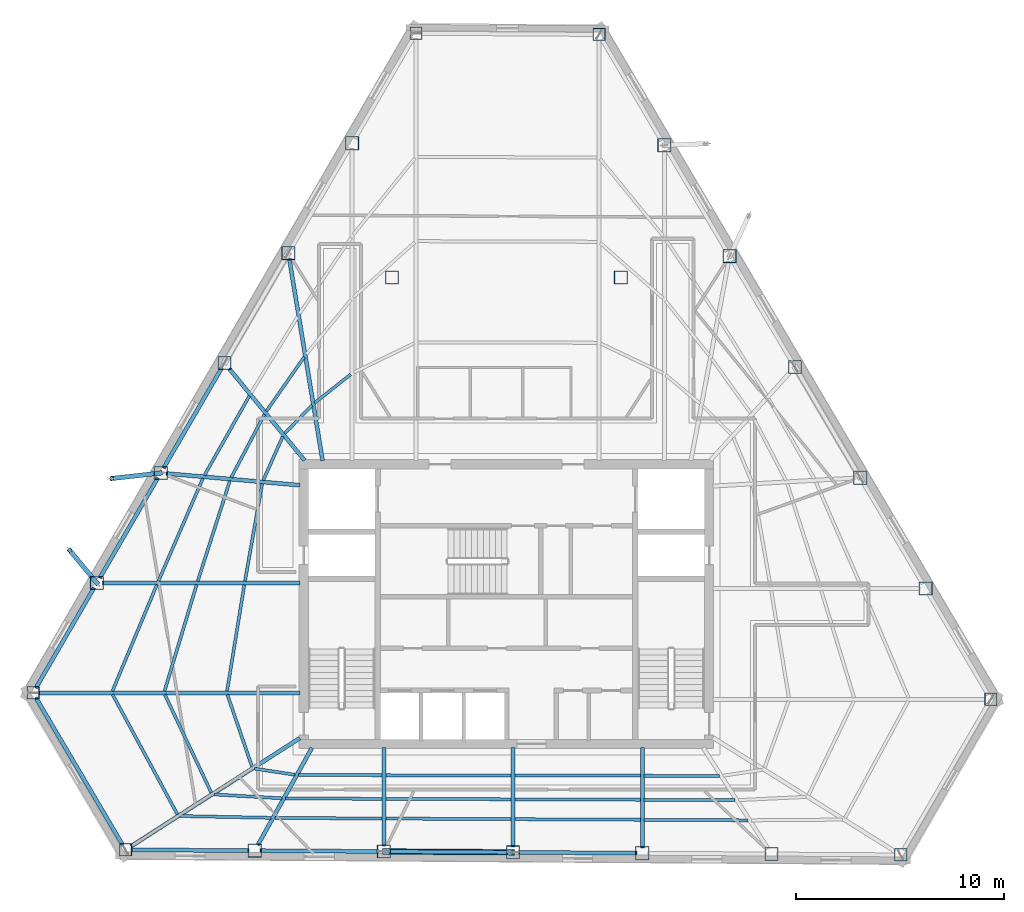
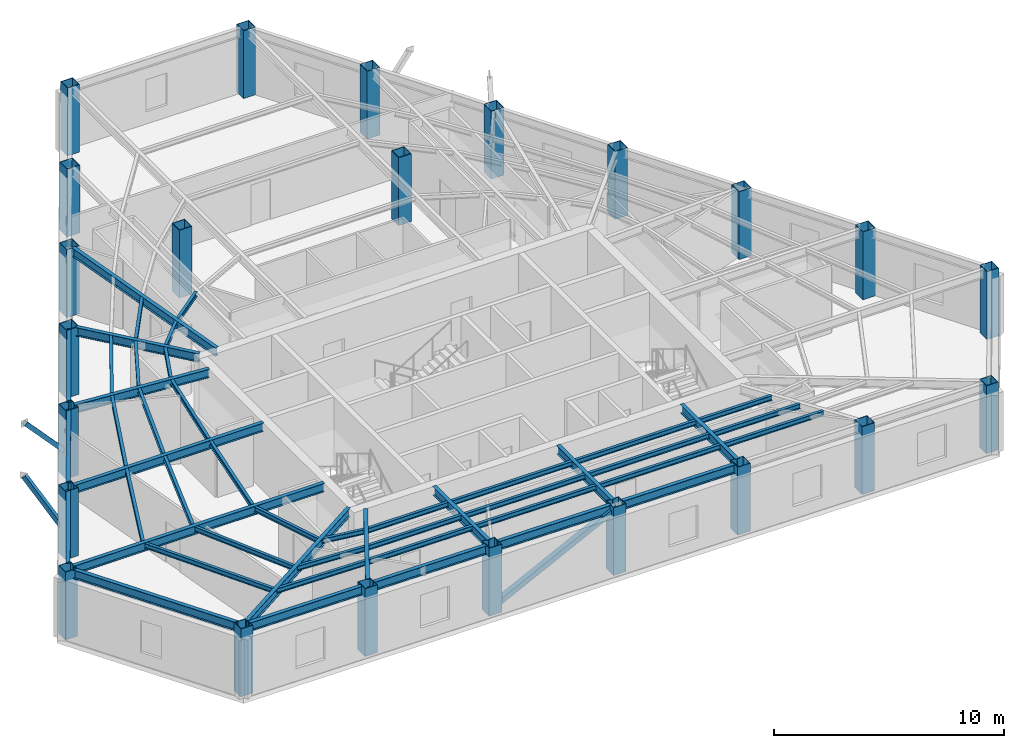
# One storey, part 1 of 11: 48 beams, 23 columns, 3 members.
"""IFC4 building model written with IfcOpenShell, lengths in metres."""

from ifc_helpers import new_model, si_unit, direction, frame, origin, origin_2d, place, context, subcontext, project, spatial, hollow_rectangle, i_section, extrude, material, material_profile, profile_set, type_object, element, save


model = new_model("IFC4")

# Units and contexts
model_context = context("Model", 3, precision=1e-05, world=origin(), true_north=direction((0.0, 1.0)))
body_context = subcontext(model_context, "Body", "Model", "MODEL_VIEW")
ifc_project = project(units=[si_unit("LENGTHUNIT", "METRE"), si_unit("AREAUNIT", "SQUARE_METRE"), si_unit("VOLUMEUNIT", "CUBIC_METRE"), si_unit("PLANEANGLEUNIT", "RADIAN"), si_unit("MASSUNIT", "GRAM", prefix="KILO")], contexts=[model_context])

# Site, building, storey
site_placement = place(None, origin())
site = spatial("IfcSite", under=ifc_project, at=site_placement, CompositionType="ELEMENT")
building_placement = place(site_placement, origin())
building = spatial("IfcBuilding", under=site, at=building_placement, Name="Kavelnor Concourse Tower", CompositionType="ELEMENT")
storey_placement = place(building_placement, frame((0.0, 0.0, 195.800048828125)))
storey = spatial("IfcBuildingStorey", under=building, at=storey_placement, Name="L49", CompositionType="ELEMENT", Elevation=195.800048828125)

# Columns
ifc_material = material(Name="Steel Grade 350", Category="steel")
ifc_material_profile_1 = material_profile(ifc_material, hollow_rectangle(XDim=0.60009765625, YDim=0.60009765625, WallThickness=0.028076171875, at=origin_2d()), Name="SHS 600x600x28")
ifc_profile_set_1 = profile_set([ifc_material_profile_1], Name="Steel Grade 350")
column_type_1 = type_object("IfcColumnType", Name="COL-FOLD-Z3", PredefinedType="COLUMN", material=ifc_profile_set_1)
for number, where, z_axis, x_axis, name in (
    (1, (33.65478515625, 43.537841796875, 0.0), (0.0, 0.0, 1.0), (1.0, 0.0, 0.0), "L49 Perimeter Corner-Fold Column F0-B0"),
    (2, (15.248046875, 11.835205078125, 0.0), (0.0, 0.0, 1.0), (1.0, 0.0, 0.0), "L49 Perimeter Corner-Fold Column F0-B6"),
    (3, (19.694091796875, 4.292236328125, 0.0), (0.0, 0.0, 1.0), (1.0, 0.0, 0.0), "L49 Perimeter Corner-Fold Column F1-B0"),
    (4, (56.947998046875, 4.0478515625, 0.0), (0.0, 0.0, 1.0), (1.0, 0.0, 0.0), "L49 Perimeter Corner-Fold Column F1-B6"),
    (5, (61.287841796875, 11.5224609375, 0.0), (0.0, 0.0, 1.0), (1.0, 0.0, 0.0), "L49 Perimeter Corner-Fold Column F2-B0"),
    (6, (42.451416015625, 43.480224609375, 0.0), (0.0, 0.0, 1.0), (1.0, 0.0, 0.0), "L49 Perimeter Corner-Fold Column F2-B6"),
):
    element("IfcColumn", number, at=place(storey_placement, frame(where, z_axis=z_axis, x_axis=x_axis)), inside=storey, type_object=column_type_1, Name=name, PredefinedType="COLUMN", context=body_context, shape_type="SweptSolid", body=[
        extrude(hollow_rectangle(XDim=0.60009765625, YDim=0.60009765625, WallThickness=0.028076171875, at=origin_2d()), origin(), (0.0, 0.0, 1.0), 3.599853515625),
    ])
ifc_material_profile_2 = material_profile(ifc_material, hollow_rectangle(XDim=0.639892578125, YDim=0.639892578125, WallThickness=0.028076171875, at=origin_2d()), Name="SHS 640x640x28")
ifc_profile_set_2 = profile_set([ifc_material_profile_2], Name="Steel Grade 350")
column_type_2 = type_object("IfcColumnType", Name="COL-TUBE-Z3", PredefinedType="COLUMN", material=ifc_profile_set_2)
for number, where, z_axis, x_axis, name in (
    (7, (30.5869140625, 38.254150390625, 0.0), (0.0, 0.0, 1.0), (1.0, 0.0, 0.0), "L49 Perimeter Framed-Tube Column F0-B1"),
    (8, (27.519287109375, 32.970458984375, 0.0), (0.0, 0.0, 1.0), (1.0, 0.0, 0.0), "L49 Perimeter Framed-Tube Column F0-B2"),
    (9, (24.451416015625, 27.6865234375, 0.0), (0.0, 0.0, 1.0), (1.0, 0.0, 0.0), "L49 Perimeter Framed-Tube Column F0-B3"),
    (10, (21.383544921875, 22.40283203125, 0.0), (0.0, 0.0, 1.0), (1.0, 0.0, 0.0), "L49 Perimeter Framed-Tube Column F0-B4"),
    (11, (18.31591796875, 17.119140625, 0.0), (0.0, 0.0, 1.0), (1.0, 0.0, 0.0), "L49 Perimeter Framed-Tube Column F0-B5"),
    (12, (25.903076171875, 4.25146484375, 0.0), (0.0, 0.0, 1.0), (1.0, 0.0, 0.0), "L49 Perimeter Framed-Tube Column F1-B1"),
    (13, (32.112060546875, 4.210693359375, 0.0), (0.0, 0.0, 1.0), (1.0, 0.0, 0.0), "L49 Perimeter Framed-Tube Column F1-B2"),
    (14, (38.321044921875, 4.169921875, 0.0), (0.0, 0.0, 1.0), (1.0, 0.0, 0.0), "L49 Perimeter Framed-Tube Column F1-B3"),
    (15, (44.530029296875, 4.12939453125, 0.0), (0.0, 0.0, 1.0), (1.0, 0.0, 0.0), "L49 Perimeter Framed-Tube Column F1-B4"),
    (16, (50.739013671875, 4.08837890625, 0.0), (0.0, 0.0, 1.0), (1.0, 0.0, 0.0), "L49 Perimeter Framed-Tube Column F1-B5"),
    (17, (58.1484375, 16.8486328125, 0.0), (0.0, 0.0, 1.0), (1.0, 0.0, 0.0), "L49 Perimeter Framed-Tube Column F2-B1"),
    (18, (55.009033203125, 22.175048828125, 0.0), (0.0, 0.0, 1.0), (1.0, 0.0, 0.0), "L49 Perimeter Framed-Tube Column F2-B2"),
    (19, (51.86962890625, 27.501220703125, 0.0), (0.0, 0.0, 1.0), (1.0, 0.0, 0.0), "L49 Perimeter Framed-Tube Column F2-B3"),
    (20, (48.730224609375, 32.82763671875, 0.0), (0.0, 0.0, 1.0), (1.0, 0.0, 0.0), "L49 Perimeter Framed-Tube Column F2-B4"),
    (21, (45.5908203125, 38.15380859375, 0.0), (0.0, 0.0, 1.0), (1.0, 0.0, 0.0), "L49 Perimeter Framed-Tube Column F2-B5"),
    (22, (32.5, 31.800048828125, 0.0), (0.0, 0.0, 1.0), (1.0, 0.0, 0.0), "L49 North Interior Gravity Column BC-NW"),
    (23, (43.5, 31.800048828125, 0.0), (0.0, 0.0, 1.0), (1.0, 0.0, 0.0), "L49 North Interior Gravity Column BC-NE"),
):
    element("IfcColumn", number, at=place(storey_placement, frame(where, z_axis=z_axis, x_axis=x_axis)), inside=storey, type_object=column_type_2, Name=name, PredefinedType="COLUMN", context=body_context, shape_type="SweptSolid", body=[
        extrude(hollow_rectangle(XDim=0.639892578125, YDim=0.639892578125, WallThickness=0.028076171875, at=origin_2d()), origin(), (0.0, 0.0, 1.0), 3.599853515625),
    ])

# Beams
ifc_material_profile_3 = material_profile(ifc_material, i_section(OverallWidth=0.14599609375, OverallDepth=0.256103515625, WebThickness=0.00634765625, FlangeThickness=0.010986328125, at=origin_2d()), Name="250UB37")
ifc_profile_set_3 = profile_set([ifc_material_profile_3], Name="Steel Grade 350")
beam_type_1 = type_object("IfcBeamType", Name="BM-JOIST-250", PredefinedType="JOIST", material=ifc_profile_set_3)
beam_1_placement = place(storey_placement, frame((24.588623046875, 11.751220703125, 3.471923828125), z_axis=(0.323887393988, -0.94609563788, 0.0), x_axis=(0.94609563788, 0.323887393988, 0.0)))
element("IfcBeam", 24, at=beam_1_placement, inside=storey, type_object=beam_type_1, Name="L49 Secondary Composite Joist 01-1", PredefinedType="JOIST", context=body_context, shape_type="SweptSolid", body=[
    extrude(i_section(OverallWidth=0.14599609375, OverallDepth=0.256103515625, WebThickness=0.00634765625, FlangeThickness=0.010986328125, at=origin_2d()), origin(), (0.0, 0.0, 1.0), 3.657470703125),
])
beam_2_placement = place(storey_placement, frame((21.580810546875, 11.7548828125, 3.471923828125), z_axis=(0.428422144862, -0.90357869928, 0.0), x_axis=(0.90357869928, 0.428422144862, 0.0)))
element("IfcBeam", 25, at=beam_2_placement, inside=storey, type_object=beam_type_1, Name="L49 Secondary Composite Joist 01-2", PredefinedType="JOIST", context=body_context, shape_type="SweptSolid", body=[
    extrude(i_section(OverallWidth=0.14599609375, OverallDepth=0.256103515625, WebThickness=0.00634765625, FlangeThickness=0.010986328125, at=origin_2d()), origin(), (0.0, 0.0, 1.0), 5.21875),
])
beam_3_placement = place(storey_placement, frame((19.070556640625, 11.757080078125, 3.471923828125), z_axis=(0.476196693464, -0.879338790873, 0.0), x_axis=(0.879338790873, 0.476196693464, 0.0)))
element("IfcBeam", 26, at=beam_3_placement, inside=storey, type_object=beam_type_1, Name="L49 Secondary Composite Joist 01-3", PredefinedType="JOIST", context=body_context, shape_type="SweptSolid", body=[
    extrude(i_section(OverallWidth=0.14599609375, OverallDepth=0.256103515625, WebThickness=0.00634765625, FlangeThickness=0.010986328125, at=origin_2d()), origin(), (0.0, 0.0, 1.0), 6.550048828125),
])
beam_4_placement = place(storey_placement, frame((25.889892578125, 8.193603515625, 3.471923828125), z_axis=(0.988703259194, -0.149886174341, 0.0), x_axis=(0.149886174341, 0.988703259194, 0.0)))
element("IfcBeam", 27, at=beam_4_placement, inside=storey, type_object=beam_type_1, Name="L49 Secondary Composite Joist 02-1", PredefinedType="JOIST", context=body_context, shape_type="SweptSolid", body=[
    extrude(i_section(OverallWidth=0.14599609375, OverallDepth=0.256103515625, WebThickness=0.00634765625, FlangeThickness=0.010986328125, at=origin_2d()), origin(), (0.0, 0.0, 1.0), 1.96923828125),
])
beam_5_placement = place(storey_placement, frame((23.943603515625, 6.953857421875, 3.471923828125), z_axis=(0.998374731594, -0.056990308946, 0.0), x_axis=(0.056990308946, 0.998374731594, 0.0)))
element("IfcBeam", 28, at=beam_5_placement, inside=storey, type_object=beam_type_1, Name="L49 Secondary Composite Joist 02-2", PredefinedType="JOIST", context=body_context, shape_type="SweptSolid", body=[
    extrude(i_section(OverallWidth=0.14599609375, OverallDepth=0.256103515625, WebThickness=0.00634765625, FlangeThickness=0.010986328125, at=origin_2d()), origin(), (0.0, 0.0, 1.0), 3.27294921875),
])
beam_6_placement = place(storey_placement, frame((22.321044921875, 5.9169921875, 3.471923828125), z_axis=(0.999794368897, -0.020278558189, 0.0), x_axis=(0.020278558189, 0.999794368897, 0.0)))
element("IfcBeam", 29, at=beam_6_placement, inside=storey, type_object=beam_type_1, Name="L49 Secondary Composite Joist 02-3", PredefinedType="JOIST", context=body_context, shape_type="SweptSolid", body=[
    extrude(i_section(OverallWidth=0.14599609375, OverallDepth=0.256103515625, WebThickness=0.00634765625, FlangeThickness=0.010986328125, at=origin_2d()), origin(), (0.0, 0.0, 1.0), 4.370361328125),
])
beam_7_placement = place(storey_placement, frame((28.013916015625, 7.884765625, 3.471923828125), z_axis=(0.999997596887, -0.002192309451, 0.0), x_axis=(0.002192309451, 0.999997596887, 0.0)))
element("IfcBeam", 30, at=beam_7_placement, inside=storey, type_object=beam_type_1, Name="L49 Secondary Composite Joist 03-1", PredefinedType="JOIST", context=body_context, shape_type="SweptSolid", body=[
    extrude(i_section(OverallWidth=0.14599609375, OverallDepth=0.256103515625, WebThickness=0.00634765625, FlangeThickness=0.010986328125, at=origin_2d()), origin(), (0.0, 0.0, 1.0), 4.009033203125),
])
beam_8_placement = place(storey_placement, frame((27.38916015625, 6.76171875, 3.471923828125), z_axis=(0.999990206684, -0.004425667933, 0.0), x_axis=(0.004425667933, 0.999990206684, 0.0)))
element("IfcBeam", 31, at=beam_8_placement, inside=storey, type_object=beam_type_1, Name="L49 Secondary Composite Joist 03-2", PredefinedType="JOIST", context=body_context, shape_type="SweptSolid", body=[
    extrude(i_section(OverallWidth=0.14599609375, OverallDepth=0.256103515625, WebThickness=0.00634765625, FlangeThickness=0.010986328125, at=origin_2d()), origin(), (0.0, 0.0, 1.0), 4.6337890625),
])
beam_9_placement = place(storey_placement, frame((26.868408203125, 5.825927734375, 3.471923828125), z_axis=(0.999982474165, -0.005920419138, 0.0), x_axis=(0.005920419138, 0.999982474165, 0.0)))
element("IfcBeam", 32, at=beam_9_placement, inside=storey, type_object=beam_type_1, Name="L49 Secondary Composite Joist 03-3", PredefinedType="JOIST", context=body_context, shape_type="SweptSolid", body=[
    extrude(i_section(OverallWidth=0.14599609375, OverallDepth=0.256103515625, WebThickness=0.00634765625, FlangeThickness=0.010986328125, at=origin_2d()), origin(), (0.0, 0.0, 1.0), 5.154541015625),
])
for number, where, z_axis, x_axis, name in (
    (33, (32.200927734375, 7.875732421875, 3.471923828125), (0.999998266255, -0.001862118781, 0.0), (0.001862118781, 0.999998266255, 0.0), "L49 Secondary Composite Joist 04-1"),
    (34, (32.200927734375, 6.740478515625, 3.471923828125), (0.999994218701, -0.003400377054, 0.0), (0.003400377054, 0.999994218701, 0.0), "L49 Secondary Composite Joist 04-2"),
    (35, (32.200927734375, 5.794677734375, 3.471923828125), (0.999988784077, -0.004736213729, 0.0), (0.004736213729, 0.999988784077, 0.0), "L49 Secondary Composite Joist 04-3"),
    (36, (38.409912109375, 7.8642578125, 3.471923828125), (0.999998340816, -0.001821638074, 0.0), (0.001821638074, 0.999998340816, 0.0), "L49 Secondary Composite Joist 05-1"),
    (37, (38.409912109375, 6.71923828125, 3.471923828125), (0.999994218701, -0.003400377054, 0.0), (0.003400377054, 0.999994218701, 0.0), "L49 Secondary Composite Joist 05-2"),
    (38, (38.409912109375, 5.76513671875, 3.471923828125), (0.99998897498, -0.004695734166, 0.0), (0.004695734166, 0.99998897498, 0.0), "L49 Secondary Composite Joist 05-3"),
):
    element("IfcBeam", number, at=place(storey_placement, frame(where, z_axis=z_axis, x_axis=x_axis)), inside=storey, type_object=beam_type_1, Name=name, PredefinedType="JOIST", context=body_context, shape_type="SweptSolid", body=[
        extrude(i_section(OverallWidth=0.14599609375, OverallDepth=0.256103515625, WebThickness=0.00634765625, FlangeThickness=0.010986328125, at=origin_2d()), origin(), (0.0, 0.0, 1.0), 6.031005859375),
    ])
beam_10_placement = place(storey_placement, frame((44.618896484375, 7.852783203125, 3.471923828125), z_axis=(0.999992874344, -0.003775084331, 0.0), x_axis=(0.003775084331, 0.999992874344, 0.0)))
element("IfcBeam", 39, at=beam_10_placement, inside=storey, type_object=beam_type_1, Name="L49 Secondary Composite Joist 06-1", PredefinedType="JOIST", context=body_context, shape_type="SweptSolid", body=[
    extrude(i_section(OverallWidth=0.14599609375, OverallDepth=0.256103515625, WebThickness=0.00634765625, FlangeThickness=0.010986328125, at=origin_2d()), origin(), (0.0, 0.0, 1.0), 3.62158203125),
])
beam_11_placement = place(storey_placement, frame((44.618896484375, 6.697998046875, 3.471923828125), z_axis=(0.9999894968, -0.004583261905, 0.0), x_axis=(0.004583261905, 0.9999894968, 0.0)))
element("IfcBeam", 40, at=beam_11_placement, inside=storey, type_object=beam_type_1, Name="L49 Secondary Composite Joist 06-2", PredefinedType="JOIST", context=body_context, shape_type="SweptSolid", body=[
    extrude(i_section(OverallWidth=0.14599609375, OverallDepth=0.256103515625, WebThickness=0.00634765625, FlangeThickness=0.010986328125, at=origin_2d()), origin(), (0.0, 0.0, 1.0), 4.367919921875),
])
beam_12_placement = place(storey_placement, frame((44.618896484375, 5.73583984375, 3.471923828125), z_axis=(0.999986802073, -0.005137672565, 0.0), x_axis=(0.005137672565, 0.999986802073, 0.0)))
element("IfcBeam", 41, at=beam_12_placement, inside=storey, type_object=beam_type_1, Name="L49 Secondary Composite Joist 06-3", PredefinedType="JOIST", context=body_context, shape_type="SweptSolid", body=[
    extrude(i_section(OverallWidth=0.14599609375, OverallDepth=0.256103515625, WebThickness=0.00634765625, FlangeThickness=0.010986328125, at=origin_2d()), origin(), (0.0, 0.0, 1.0), 4.989501953125),
])
beam_13_placement = place(storey_placement, frame((30.51708984375, 27.14306640625, 3.471923828125), z_axis=(-0.784418095169, -0.620232417704, 0.0), x_axis=(0.620232417704, -0.784418095169, 0.0)))
element("IfcBeam", 42, at=beam_13_placement, inside=storey, type_object=beam_type_1, Name="L49 Secondary Composite Joist 17-1", PredefinedType="JOIST", context=body_context, shape_type="SweptSolid", body=[
    extrude(i_section(OverallWidth=0.14599609375, OverallDepth=0.256103515625, WebThickness=0.00634765625, FlangeThickness=0.010986328125, at=origin_2d()), origin(), (0.0, 0.0, 1.0), 2.206787109375),
])
beam_14_placement = place(storey_placement, frame((28.654541015625, 25.6552734375, 3.471923828125), z_axis=(-0.696032086707, -0.718010678384, 0.0), x_axis=(0.718010678384, -0.696032086707, 0.0)))
element("IfcBeam", 43, at=beam_14_placement, inside=storey, type_object=beam_type_1, Name="L49 Secondary Composite Joist 18-1", PredefinedType="JOIST", context=body_context, shape_type="SweptSolid", body=[
    extrude(i_section(OverallWidth=0.14599609375, OverallDepth=0.256103515625, WebThickness=0.00634765625, FlangeThickness=0.010986328125, at=origin_2d()), origin(), (0.0, 0.0, 1.0), 1.877197265625),
])
beam_15_placement = place(storey_placement, frame((28.28076171875, 27.976318359375, 3.471923828125), z_axis=(-0.572123811293, -0.820167266203, 0.0), x_axis=(0.820167266203, -0.572123811293, 0.0)))
element("IfcBeam", 44, at=beam_15_placement, inside=storey, type_object=beam_type_1, Name="L49 Secondary Composite Joist 18-2", PredefinedType="JOIST", context=body_context, shape_type="SweptSolid", body=[
    extrude(i_section(OverallWidth=0.14599609375, OverallDepth=0.256103515625, WebThickness=0.00634765625, FlangeThickness=0.010986328125, at=origin_2d()), origin(), (0.0, 0.0, 1.0), 3.17236328125),
])
beam_16_placement = place(storey_placement, frame((27.25, 24.162109375, 3.471923828125), z_axis=(-0.40589294833, -0.913920628116, 0.0), x_axis=(0.913920628116, -0.40589294833, 0.0)))
element("IfcBeam", 45, at=beam_16_placement, inside=storey, type_object=beam_type_1, Name="L49 Secondary Composite Joist 19-1", PredefinedType="JOIST", context=body_context, shape_type="SweptSolid", body=[
    extrude(i_section(OverallWidth=0.14599609375, OverallDepth=0.256103515625, WebThickness=0.00634765625, FlangeThickness=0.010986328125, at=origin_2d()), origin(), (0.0, 0.0, 1.0), 2.306640625),
])
beam_17_placement = place(storey_placement, frame((26.37353515625, 25.22265625, 3.471923828125), z_axis=(-0.466042633783, -0.88476226383, 0.0), x_axis=(0.88476226383, -0.466042633783, 0.0)))
element("IfcBeam", 46, at=beam_17_placement, inside=storey, type_object=beam_type_1, Name="L49 Secondary Composite Joist 19-2", PredefinedType="JOIST", context=body_context, shape_type="SweptSolid", body=[
    extrude(i_section(OverallWidth=0.14599609375, OverallDepth=0.256103515625, WebThickness=0.00634765625, FlangeThickness=0.010986328125, at=origin_2d()), origin(), (0.0, 0.0, 1.0), 3.4306640625),
])
beam_18_placement = place(storey_placement, frame((25.645263671875, 26.105712890625, 3.471923828125), z_axis=(-0.492739368951, -0.870176944239, 0.0), x_axis=(0.870176944239, -0.492739368951, 0.0)))
element("IfcBeam", 47, at=beam_18_placement, inside=storey, type_object=beam_type_1, Name="L49 Secondary Composite Joist 19-3", PredefinedType="JOIST", context=body_context, shape_type="SweptSolid", body=[
    extrude(i_section(OverallWidth=0.14599609375, OverallDepth=0.256103515625, WebThickness=0.00634765625, FlangeThickness=0.010986328125, at=origin_2d()), origin(), (0.0, 0.0, 1.0), 4.37451171875),
])
beam_19_placement = place(storey_placement, frame((26.26220703125, 21.885009765625, 3.471923828125), z_axis=(-0.174257291894, -0.98470015549, 0.0), x_axis=(0.98470015549, -0.174257291894, 0.0)))
element("IfcBeam", 48, at=beam_19_placement, inside=storey, type_object=beam_type_1, Name="L49 Secondary Composite Joist 20-1", PredefinedType="JOIST", context=body_context, shape_type="SweptSolid", body=[
    extrude(i_section(OverallWidth=0.14599609375, OverallDepth=0.256103515625, WebThickness=0.00634765625, FlangeThickness=0.010986328125, at=origin_2d()), origin(), (0.0, 0.0, 1.0), 4.7509765625),
])
beam_20_placement = place(storey_placement, frame((24.7060546875, 22.023681640625, 3.471923828125), z_axis=(-0.304581403509, -0.952486308897, 0.0), x_axis=(0.952486308897, -0.304581403509, 0.0)))
element("IfcBeam", 49, at=beam_20_placement, inside=storey, type_object=beam_type_1, Name="L49 Secondary Composite Joist 20-2", PredefinedType="JOIST", context=body_context, shape_type="SweptSolid", body=[
    extrude(i_section(OverallWidth=0.14599609375, OverallDepth=0.256103515625, WebThickness=0.00634765625, FlangeThickness=0.010986328125, at=origin_2d()), origin(), (0.0, 0.0, 1.0), 5.060302734375),
])
beam_21_placement = place(storey_placement, frame((23.410400390625, 22.139892578125, 3.471923828125), z_axis=(-0.397272613066, -0.917700643406, 0.0), x_axis=(0.917700643406, -0.397272613066, 0.0)))
element("IfcBeam", 50, at=beam_21_placement, inside=storey, type_object=beam_type_1, Name="L49 Secondary Composite Joist 20-3", PredefinedType="JOIST", context=body_context, shape_type="SweptSolid", body=[
    extrude(i_section(OverallWidth=0.14599609375, OverallDepth=0.256103515625, WebThickness=0.00634765625, FlangeThickness=0.010986328125, at=origin_2d()), origin(), (0.0, 0.0, 1.0), 5.382080078125),
])
beam_22_placement = place(storey_placement, frame((25.404541015625, 17.03125, 3.471923828125), z_axis=(-0.160442605173, -0.987045171431, 0.0), x_axis=(0.987045171431, -0.160442605173, 0.0)))
element("IfcBeam", 51, at=beam_22_placement, inside=storey, type_object=beam_type_1, Name="L49 Secondary Composite Joist 21-1", PredefinedType="JOIST", context=body_context, shape_type="SweptSolid", body=[
    extrude(i_section(OverallWidth=0.14599609375, OverallDepth=0.256103515625, WebThickness=0.00634765625, FlangeThickness=0.010986328125, at=origin_2d()), origin(), (0.0, 0.0, 1.0), 5.17529296875),
])
beam_23_placement = place(storey_placement, frame((23.112060546875, 17.033935546875, 3.471923828125), z_axis=(-0.289003801574, -0.957327949386, 0.0), x_axis=(0.957327949386, -0.289003801574, 0.0)))
element("IfcBeam", 52, at=beam_23_placement, inside=storey, type_object=beam_type_1, Name="L49 Secondary Composite Joist 21-2", PredefinedType="JOIST", context=body_context, shape_type="SweptSolid", body=[
    extrude(i_section(OverallWidth=0.14599609375, OverallDepth=0.256103515625, WebThickness=0.00634765625, FlangeThickness=0.010986328125, at=origin_2d()), origin(), (0.0, 0.0, 1.0), 5.341552734375),
])
beam_24_placement = place(storey_placement, frame((21.20263671875, 17.037109375, 3.471923828125), z_axis=(-0.385683567408, -0.922631121213, 0.0), x_axis=(0.922631121213, -0.385683567408, 0.0)))
element("IfcBeam", 53, at=beam_24_placement, inside=storey, type_object=beam_type_1, Name="L49 Secondary Composite Joist 21-3", PredefinedType="JOIST", context=body_context, shape_type="SweptSolid", body=[
    extrude(i_section(OverallWidth=0.14599609375, OverallDepth=0.256103515625, WebThickness=0.00634765625, FlangeThickness=0.010986328125, at=origin_2d()), origin(), (0.0, 0.0, 1.0), 5.548828125),
])
ifc_material_profile_4 = material_profile(ifc_material, i_section(OverallWidth=0.18994140625, OverallDepth=0.4541015625, WebThickness=0.008544921875, FlangeThickness=0.0126953125, at=origin_2d()), Name="460UB67")
ifc_profile_set_4 = profile_set([ifc_material_profile_4], Name="Steel Grade 350")
beam_type_2 = type_object("IfcBeamType", Name="BM-PRIMARY-460", PredefinedType="BEAM", material=ifc_profile_set_4)
beam_25_placement = place(storey_placement, frame((29.165283203125, 23.00048828125, 3.373046875), z_axis=(-0.162894179559, 0.986643545697, 0.0), x_axis=(-0.986643545697, -0.162894179559, 0.0)))
element("IfcBeam", 54, at=beam_25_placement, inside=storey, type_object=beam_type_2, Name="L49 Primary Floor Girder F0-B2", PredefinedType="BEAM", context=body_context, shape_type="SweptSolid", body=[
    extrude(i_section(OverallWidth=0.18994140625, OverallDepth=0.4541015625, WebThickness=0.008544921875, FlangeThickness=0.0126953125, at=origin_2d()), origin(), (0.0, 0.0, 1.0), 9.8408203125),
])
beam_26_placement = place(storey_placement, frame((28.30224609375, 23.009033203125, 3.373046875), z_axis=(-0.635567866771, 0.772045003046, 0.0), x_axis=(-0.772045003046, -0.635567866771, 0.0)))
element("IfcBeam", 55, at=beam_26_placement, inside=storey, type_object=beam_type_2, Name="L49 Primary Floor Girder F0-B3", PredefinedType="BEAM", context=body_context, shape_type="SweptSolid", body=[
    extrude(i_section(OverallWidth=0.18994140625, OverallDepth=0.4541015625, WebThickness=0.008544921875, FlangeThickness=0.0126953125, at=origin_2d()), origin(), (0.0, 0.0, 1.0), 5.710205078125),
])
beam_27_placement = place(storey_placement, frame((28.079833984375, 21.814208984375, 3.373046875), z_axis=(-0.9961597628, 0.08755413741, 0.0), x_axis=(-0.08755413741, -0.9961597628, 0.0)))
element("IfcBeam", 56, at=beam_27_placement, inside=storey, type_object=beam_type_2, Name="L49 Primary Floor Girder F0-B4", PredefinedType="BEAM", context=body_context, shape_type="SweptSolid", body=[
    extrude(i_section(OverallWidth=0.18994140625, OverallDepth=0.4541015625, WebThickness=0.008544921875, FlangeThickness=0.0126953125, at=origin_2d()), origin(), (0.0, 0.0, 1.0), 6.4609375),
])
beam_28_placement = place(storey_placement, frame((28.080078125, 17.119140625, 3.373046875), z_axis=(-1.0, 0.0, 0.0), x_axis=(0.0, -1.0, 0.0)))
element("IfcBeam", 57, at=beam_28_placement, inside=storey, type_object=beam_type_2, Name="L49 Primary Floor Girder F0-B5", PredefinedType="BEAM", context=body_context, shape_type="SweptSolid", body=[
    extrude(i_section(OverallWidth=0.18994140625, OverallDepth=0.4541015625, WebThickness=0.008544921875, FlangeThickness=0.0126953125, at=origin_2d()), origin(), (0.0, 0.0, 1.0), 9.50439453125),
])
beam_29_placement = place(storey_placement, frame((28.080078125, 11.835205078125, 3.373046875), z_axis=(-1.0, 0.0, 0.0), x_axis=(0.0, -1.0, 0.0)))
element("IfcBeam", 58, at=beam_29_placement, inside=storey, type_object=beam_type_2, Name="L49 Primary Floor Girder F0-B6", PredefinedType="BEAM", context=body_context, shape_type="SweptSolid", body=[
    extrude(i_section(OverallWidth=0.18994140625, OverallDepth=0.4541015625, WebThickness=0.008544921875, FlangeThickness=0.0126953125, at=origin_2d()), origin(), (0.0, 0.0, 1.0), 12.572021484375),
])
beam_30_placement = place(storey_placement, frame((28.07373046875, 9.662841796875, 3.373046875), z_axis=(-0.841927537132, -0.539590606126, 0.0), x_axis=(0.539590606126, -0.841927537132, 0.0)))
element("IfcBeam", 59, at=beam_30_placement, inside=storey, type_object=beam_type_2, Name="L49 Primary Floor Girder F1-B0", PredefinedType="BEAM", context=body_context, shape_type="SweptSolid", body=[
    extrude(i_section(OverallWidth=0.18994140625, OverallDepth=0.4541015625, WebThickness=0.008544921875, FlangeThickness=0.0126953125, at=origin_2d()), origin(), (0.0, 0.0, 1.0), 9.636962890625),
])
beam_31_placement = place(storey_placement, frame((28.65380859375, 9.195068359375, 3.373046875), z_axis=(-0.486231317446, -0.87383013563, 0.0), x_axis=(0.87383013563, -0.486231317446, 0.0)))
element("IfcBeam", 60, at=beam_31_placement, inside=storey, type_object=beam_type_2, Name="L49 Primary Floor Girder F1-B1", PredefinedType="BEAM", context=body_context, shape_type="SweptSolid", body=[
    extrude(i_section(OverallWidth=0.18994140625, OverallDepth=0.4541015625, WebThickness=0.008544921875, FlangeThickness=0.0126953125, at=origin_2d()), origin(), (0.0, 0.0, 1.0), 5.35400390625),
])
beam_32_placement = place(storey_placement, frame((32.112060546875, 9.199951171875, 3.373046875), z_axis=(0.0, -1.0, 0.0), x_axis=(1.0, 0.0, 0.0)))
element("IfcBeam", 61, at=beam_32_placement, inside=storey, type_object=beam_type_2, Name="L49 Primary Floor Girder F1-B2", PredefinedType="BEAM", context=body_context, shape_type="SweptSolid", body=[
    extrude(i_section(OverallWidth=0.18994140625, OverallDepth=0.4541015625, WebThickness=0.008544921875, FlangeThickness=0.0126953125, at=origin_2d()), origin(), (0.0, 0.0, 1.0), 4.729248046875),
])
beam_33_placement = place(storey_placement, frame((38.321044921875, 9.199951171875, 3.373046875), z_axis=(0.0, -1.0, 0.0), x_axis=(1.0, 0.0, 0.0)))
element("IfcBeam", 62, at=beam_33_placement, inside=storey, type_object=beam_type_2, Name="L49 Primary Floor Girder F1-B3", PredefinedType="BEAM", context=body_context, shape_type="SweptSolid", body=[
    extrude(i_section(OverallWidth=0.18994140625, OverallDepth=0.4541015625, WebThickness=0.008544921875, FlangeThickness=0.0126953125, at=origin_2d()), origin(), (0.0, 0.0, 1.0), 4.77001953125),
])
beam_34_placement = place(storey_placement, frame((44.530029296875, 9.199951171875, 3.373046875), z_axis=(0.0, -1.0, 0.0), x_axis=(1.0, 0.0, 0.0)))
element("IfcBeam", 63, at=beam_34_placement, inside=storey, type_object=beam_type_2, Name="L49 Primary Floor Girder F1-B4", PredefinedType="BEAM", context=body_context, shape_type="SweptSolid", body=[
    extrude(i_section(OverallWidth=0.18994140625, OverallDepth=0.4541015625, WebThickness=0.008544921875, FlangeThickness=0.0126953125, at=origin_2d()), origin(), (0.0, 0.0, 1.0), 4.810546875),
])
ifc_material_profile_5 = material_profile(ifc_material, i_section(OverallWidth=0.19091796875, OverallDepth=0.4599609375, WebThickness=0.010009765625, FlangeThickness=0.01611328125, at=origin_2d()), Name="460UB82")
ifc_profile_set_5 = profile_set([ifc_material_profile_5], Name="Steel Grade 350")
beam_type_3 = type_object("IfcBeamType", Name="BM-SPANDREL-Z3", PredefinedType="SPANDREL", material=ifc_profile_set_5)
beam_35_placement = place(storey_placement, frame((24.318359375, 27.45751953125, 3.369873046875), z_axis=(-0.502120739702, -0.864797527032, 0.0), x_axis=(0.864797527032, -0.502120739702, 0.0)))
element("IfcBeam", 64, at=beam_35_placement, inside=storey, type_object=beam_type_3, Name="L49 Perimeter Tube Spandrel Beam F0-B3", PredefinedType="SPANDREL", context=body_context, shape_type="SweptSolid", body=[
    extrude(i_section(OverallWidth=0.19091796875, OverallDepth=0.4599609375, WebThickness=0.010009765625, FlangeThickness=0.01611328125, at=origin_2d()), origin(), (0.0, 0.0, 1.0), 5.579833984375),
])
beam_36_placement = place(storey_placement, frame((21.25048828125, 22.173583984375, 3.369873046875), z_axis=(-0.502107015731, -0.86480549533, 0.0), x_axis=(0.86480549533, -0.502107015731, 0.0)))
element("IfcBeam", 65, at=beam_36_placement, inside=storey, type_object=beam_type_3, Name="L49 Perimeter Tube Spandrel Beam F0-B4", PredefinedType="SPANDREL", context=body_context, shape_type="SweptSolid", body=[
    extrude(i_section(OverallWidth=0.19091796875, OverallDepth=0.4599609375, WebThickness=0.010009765625, FlangeThickness=0.01611328125, at=origin_2d()), origin(), (0.0, 0.0, 1.0), 5.57958984375),
])
beam_37_placement = place(storey_placement, frame((18.1826171875, 16.889892578125, 3.369873046875), z_axis=(-0.502088016122, -0.864816526245, 0.0), x_axis=(0.864816526245, -0.502088016122, 0.0)))
element("IfcBeam", 66, at=beam_37_placement, inside=storey, type_object=beam_type_3, Name="L49 Perimeter Tube Spandrel Beam F0-B5", PredefinedType="SPANDREL", context=body_context, shape_type="SweptSolid", body=[
    extrude(i_section(OverallWidth=0.19091796875, OverallDepth=0.4599609375, WebThickness=0.010009765625, FlangeThickness=0.01611328125, at=origin_2d()), origin(), (0.0, 0.0, 1.0), 5.579833984375),
])
for number, where, z_axis, x_axis, name in (
    (67, (19.958984375, 4.29052734375, 3.369873046875), (0.99997836873, -0.00657739093, 0.0), (0.00657739093, 0.99997836873, 0.0), "L49 Perimeter Tube Spandrel Beam F1-B0"),
    (68, (26.16796875, 4.249755859375, 3.369873046875), (0.99997836873, -0.00657739093, 0.0), (0.00657739093, 0.99997836873, 0.0), "L49 Perimeter Tube Spandrel Beam F1-B1"),
    (69, (32.376953125, 4.208984375, 3.369873046875), (0.99997836873, -0.00657739093, 0.0), (0.00657739093, 0.99997836873, 0.0), "L49 Perimeter Tube Spandrel Beam F1-B2"),
):
    element("IfcBeam", number, at=place(storey_placement, frame(where, z_axis=z_axis, x_axis=x_axis)), inside=storey, type_object=beam_type_3, Name=name, PredefinedType="SPANDREL", context=body_context, shape_type="SweptSolid", body=[
        extrude(i_section(OverallWidth=0.19091796875, OverallDepth=0.4599609375, WebThickness=0.010009765625, FlangeThickness=0.01611328125, at=origin_2d()), origin(), (0.0, 0.0, 1.0), 5.67919921875),
    ])
beam_38_placement = place(storey_placement, frame((38.5859375, 4.168212890625, 3.369873046875), z_axis=(0.999978650559, -0.006534403288, 0.0), x_axis=(0.006534403288, 0.999978650559, 0.0)))
element("IfcBeam", 70, at=beam_38_placement, inside=storey, type_object=beam_type_3, Name="L49 Perimeter Tube Spandrel Beam F1-B3", PredefinedType="SPANDREL", context=body_context, shape_type="SweptSolid", body=[
    extrude(i_section(OverallWidth=0.19091796875, OverallDepth=0.4599609375, WebThickness=0.010009765625, FlangeThickness=0.01611328125, at=origin_2d()), origin(), (0.0, 0.0, 1.0), 5.678955078125),
])
beam_39_placement = place(storey_placement, frame((15.382568359375, 11.60693359375, 3.369873046875), z_axis=(0.507767050445, -0.861494412334, 0.0), x_axis=(0.861494412334, 0.507767050445, 0.0)))
element("IfcBeam", 71, at=beam_39_placement, inside=storey, type_object=beam_type_3, Name="L49 Chamfer Facet Spandrel Beam C1", PredefinedType="SPANDREL", context=body_context, shape_type="SweptSolid", body=[
    extrude(i_section(OverallWidth=0.19091796875, OverallDepth=0.4599609375, WebThickness=0.010009765625, FlangeThickness=0.01611328125, at=origin_2d()), origin(), (0.0, 0.0, 1.0), 8.225830078125),
])

# Members
ifc_material_profile_6 = material_profile(ifc_material, hollow_rectangle(XDim=0.219970703125, YDim=0.219970703125, WallThickness=0.013916015625, at=origin_2d()), Name="SHS 220x220x14")
ifc_profile_set_6 = profile_set([ifc_material_profile_6], Name="Steel Grade 350")
member_type_1 = type_object("IfcMemberType", Name="MBR-BALC-STRUT-220", PredefinedType="STRUT", material=ifc_profile_set_6)
member_1_placement = place(storey_placement, frame((21.383544921875, 22.40283203125, 1.050048828125), z_axis=(-0.668327763575, -0.074566927436, 0.740120107664), x_axis=(0.110884360554, -0.993833315292, 0.0)))
element("IfcMember", 72, at=member_1_placement, inside=storey, type_object=member_type_1, Name="L49 Tree Balcony Raking Knee Strut 2-A", PredefinedType="STRUT", context=body_context, shape_type="SweptSolid", body=[
    extrude(hollow_rectangle(XDim=0.219970703125, YDim=0.219970703125, WallThickness=0.013916015625, at=origin_2d()), origin(), (0.0, 0.0, 1.0), 3.519775390625),
])
member_2_placement = place(storey_placement, frame((18.31591796875, 17.119140625, 1.050048828125), z_axis=(-0.394285703053, 0.47411675296, 0.787243347975), x_axis=(-0.768868171507, -0.639407330927, 0.0)))
element("IfcMember", 73, at=member_2_placement, inside=storey, type_object=member_type_1, Name="L49 Tree Balcony Raking Knee Strut 2-B", PredefinedType="STRUT", context=body_context, shape_type="SweptSolid", body=[
    extrude(hollow_rectangle(XDim=0.219970703125, YDim=0.219970703125, WallThickness=0.013916015625, at=origin_2d()), origin(), (0.0, 0.0, 1.0), 3.30908203125),
])
ifc_material_profile_7 = material_profile(ifc_material, hollow_rectangle(XDim=0.280029296875, YDim=0.280029296875, WallThickness=0.01611328125, at=origin_2d()), Name="SHS 280x280x16")
ifc_profile_set_7 = profile_set([ifc_material_profile_7], Name="Steel Grade 350")
member_type_2 = type_object("IfcMemberType", Name="MBR-TUBE-DIAG-Z3", PredefinedType="BRACE", material=ifc_profile_set_7)
member_3_placement = place(storey_placement, frame((32.112060546875, 4.210693359375, 0.219970703125), z_axis=(0.891787756384, -0.005855951373, 0.452416075529), x_axis=(0.006566388788, 0.999978441037, 0.0)))
element("IfcMember", 74, at=member_3_placement, inside=storey, type_object=member_type_2, Name="L49 Framed-Tube Bracing Diagonal F1-B2", PredefinedType="BRACE", context=body_context, shape_type="SweptSolid", body=[
    extrude(hollow_rectangle(XDim=0.280029296875, YDim=0.280029296875, WallThickness=0.01611328125, at=origin_2d()), origin(), (0.0, 0.0, 1.0), 6.96240234375),
])

save(model, "model.ifc")
